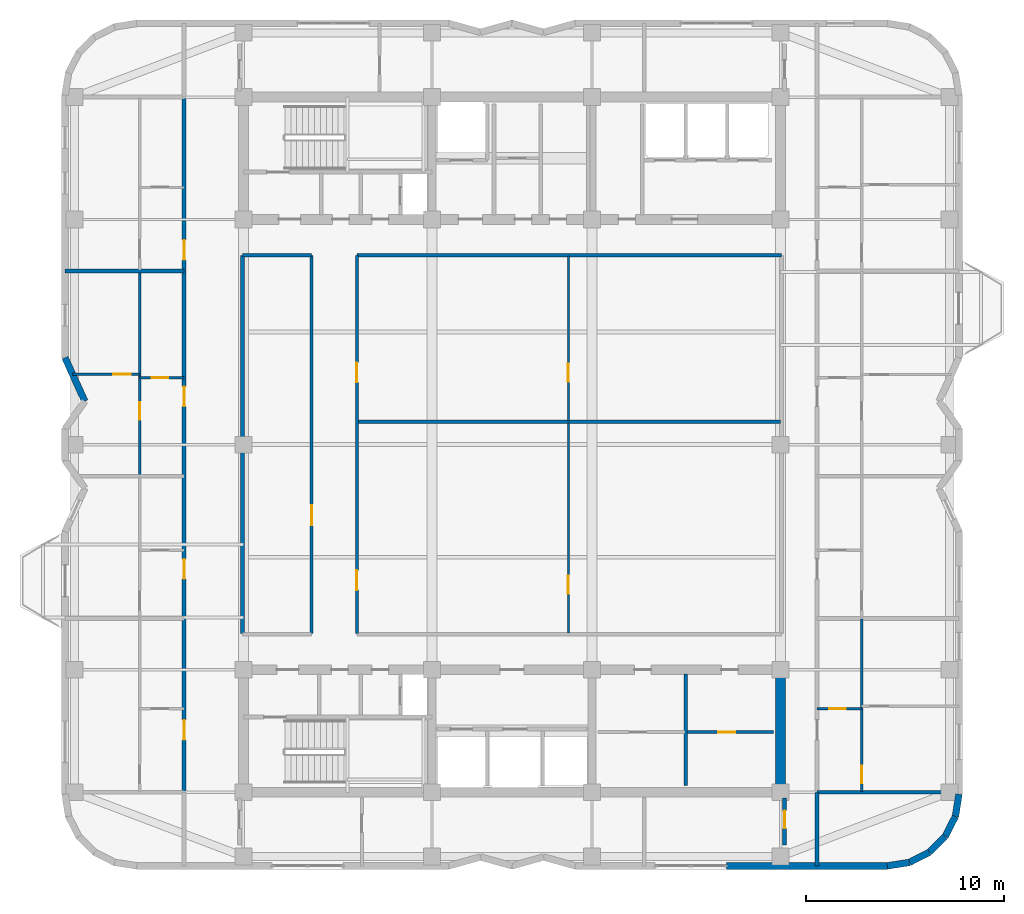
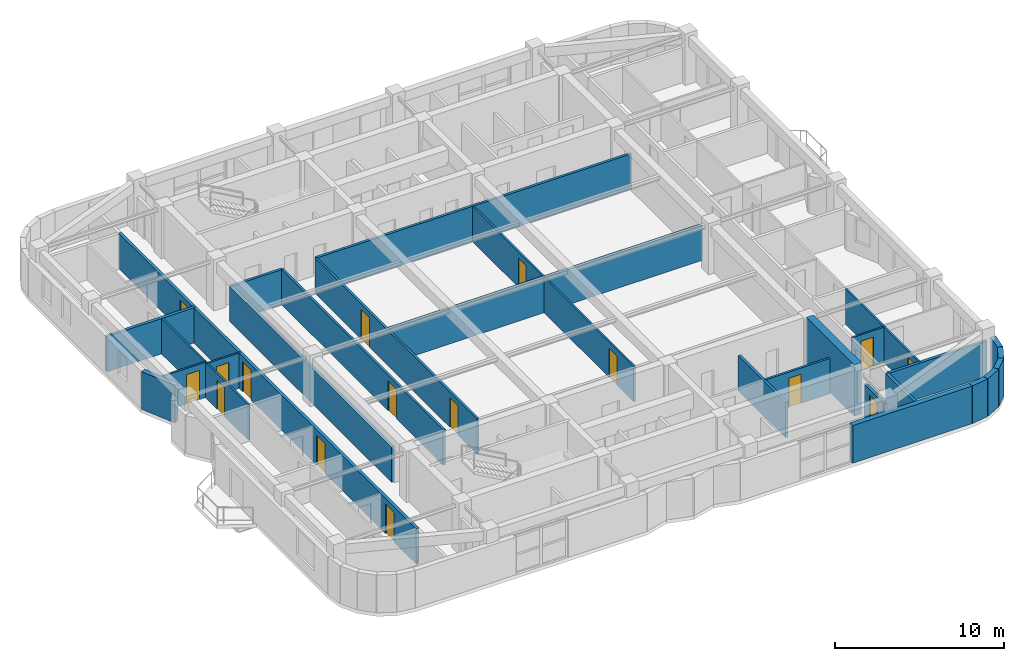
# One storey, part 9 of 14: 28 walls, 16 doors, 16 openings.
"""IFC4 building model written with IfcOpenShell, lengths in metres."""

from ifc_helpers import new_model, si_unit, direction, frame, frame_2d, origin, place, context, subcontext, project, spatial, rectangle, extrude, material, layer, layer_set, type_object, element, fill, save


model = new_model("IFC4")

# Units and contexts
model_context = context("Model", 3, precision=1e-05, world=origin(), true_north=direction((0.0, 1.0)))
body_context = subcontext(model_context, "Body", "Model", "MODEL_VIEW")
ifc_project = project(units=[si_unit("LENGTHUNIT", "METRE"), si_unit("AREAUNIT", "SQUARE_METRE"), si_unit("VOLUMEUNIT", "CUBIC_METRE"), si_unit("PLANEANGLEUNIT", "RADIAN"), si_unit("MASSUNIT", "GRAM", prefix="KILO")], contexts=[model_context])

# Site, building, storey
site_placement = place(None, origin())
site = spatial("IfcSite", under=ifc_project, at=site_placement, CompositionType="ELEMENT")
building_placement = place(site_placement, origin())
building = spatial("IfcBuilding", under=site, at=building_placement, Name="Svetorya Sky Lyceum", CompositionType="ELEMENT")
storey_placement = place(building_placement, frame((0.0, 0.0, 218.39990234375)))
storey = spatial("IfcBuildingStorey", under=building, at=storey_placement, Name="L54", CompositionType="ELEMENT", Elevation=218.39990234375)

# Walls
ifc_material_1 = material(Name="Concrete C50/60", Category="concrete")
ifc_layer_1 = layer(ifc_material_1, 0.5)
ifc_layer_set_1 = layer_set([ifc_layer_1], Name="Concrete C50/60")
wall_type_1 = type_object("IfcWallType", Name="WL-CORE-500", PredefinedType="SHEAR", material=ifc_layer_set_1)
wall_1_placement = place(storey_placement, frame((52.800048828125, 10.85009765625, 0.0), z_axis=(0.0, 0.0, 1.0), x_axis=(0.0, 1.0, 0.0)))
element("IfcWall", 1, at=wall_1_placement, inside=storey, type_object=wall_type_1, Name="L54 SC East Core Shear Wall", PredefinedType="SHEAR", context=body_context, shape_type="SweptSolid", body=[
    extrude(rectangle(XDim=5.699951171875, YDim=0.5, at=frame_2d((2.85009765625, 0.0))), origin(), (0.0, 0.0, 1.0), 3.7001953125),
])
ifc_material_2 = material(Name="Putilovo limestone rainscreen on autoclaved cellular masonry", Category="masonry")
ifc_layer_2 = layer(ifc_material_2, 0.340087890625)
ifc_layer_set_2 = layer_set([ifc_layer_2], Name="Putilovo limestone rainscreen on autoclaved cellular masonry")
wall_type_2 = type_object("IfcWallType", Name="WL-EXT-340", PredefinedType="SOLIDWALL", material=ifc_layer_set_2)
wall_2_placement = place(storey_placement, frame((50.050048828125, 6.8701171875, 0.0), z_axis=(0.0, 0.0, 1.0), x_axis=(1.0, 0.0, 0.0)))
element("IfcWall", 2, at=wall_2_placement, inside=storey, type_object=wall_type_2, Name="L54 Limestone Exterior Wall 11B", PredefinedType="SOLIDWALL", context=body_context, shape_type="SweptSolid", body=[
    extrude(rectangle(XDim=8.14990234375, YDim=0.340087890625, at=frame_2d((4.074951171875, 0.0))), origin(), (0.0, 0.0, 1.0), 2.72021484375),
])
for number, where, z_axis, x_axis, name in (
    (3, (58.199951171875, 6.8701171875, 0.0), (0.0, 0.0, 1.0), (0.987714116584, 0.156271634985, 0.0), "L54 Limestone Exterior Wall 12M"),
    (4, (59.32177734375, 7.047607421875, 0.0), (0.0, 0.0, 1.0), (0.891005044957, 0.453993402883, 0.0), "L54 Limestone Exterior Wall 13M"),
):
    element("IfcWall", number, at=place(storey_placement, frame(where, z_axis=z_axis, x_axis=x_axis)), inside=storey, type_object=wall_type_2, Name=name, PredefinedType="SOLIDWALL", context=body_context, shape_type="SweptSolid", body=[
        extrude(rectangle(XDim=1.1357421875, YDim=0.340087890625, at=frame_2d((0.56787109375, 0.0))), origin(), (0.0, 0.0, 1.0), 2.72021484375),
    ])
wall_3_placement = place(storey_placement, frame((60.333740234375, 7.563232421875, 0.0), z_axis=(0.0, 0.0, 1.0), x_axis=(0.707106781187, 0.707106781187, 0.0)))
element("IfcWall", 5, at=wall_3_placement, inside=storey, type_object=wall_type_2, Name="L54 Limestone Exterior Wall 14M", PredefinedType="SOLIDWALL", context=body_context, shape_type="SweptSolid", body=[
    extrude(rectangle(XDim=1.135498046875, YDim=0.340087890625, at=frame_2d((0.56787109375, 0.0))), origin(), (0.0, 0.0, 1.0), 2.72021484375),
])
wall_4_placement = place(storey_placement, frame((61.13671875, 8.3662109375, 0.0), z_axis=(0.0, 0.0, 1.0), x_axis=(0.45390646422, 0.891049337433, 0.0)))
element("IfcWall", 6, at=wall_4_placement, inside=storey, type_object=wall_type_2, Name="L54 Limestone Exterior Wall 15M", PredefinedType="SOLIDWALL", context=body_context, shape_type="SweptSolid", body=[
    extrude(rectangle(XDim=1.135986328125, YDim=0.340087890625, at=frame_2d((0.56787109375, 0.0))), origin(), (0.0, 0.0, 1.0), 2.72021484375),
])
wall_5_placement = place(storey_placement, frame((61.65234375, 9.37841796875, 0.0), z_axis=(0.0, 0.0, 1.0), x_axis=(0.156514556949, 0.987675651954, 0.0)))
element("IfcWall", 7, at=wall_5_placement, inside=storey, type_object=wall_type_2, Name="L54 Limestone Exterior Wall 16M", PredefinedType="SOLIDWALL", context=body_context, shape_type="SweptSolid", body=[
    extrude(rectangle(XDim=1.135498046875, YDim=0.340087890625, at=frame_2d((0.56787109375, 0.0))), origin(), (0.0, 0.0, 1.0), 2.72021484375),
])
wall_6_placement = place(storey_placement, frame((16.570068359375, 32.60009765625, 0.0), z_axis=(0.0, 0.0, 1.0), x_axis=(0.413772500085, -0.910380315128, 0.0)))
element("IfcWall", 8, at=wall_6_placement, inside=storey, type_object=wall_type_2, Name="L54 Limestone Exterior Wall 41M", PredefinedType="SOLIDWALL", context=body_context, shape_type="SweptSolid", body=[
    extrude(rectangle(XDim=2.416748046875, YDim=0.340087890625, at=frame_2d((1.20849609375, 0.0))), origin(), (0.0, 0.0, 1.0), 2.72021484375),
])

# Wall, opening, door
ifc_material_3 = material(Name="Twin-stud galvanized framing with double fireboard", Category="gypsum")
ifc_layer_3 = layer(ifc_material_3, 0.1201171875)
ifc_layer_set_3 = layer_set([ifc_layer_3], Name="Twin-stud galvanized framing with double fireboard")
wall_type_3 = type_object("IfcWallType", Name="WL-PART-120", PredefinedType="PARTITIONING", material=ifc_layer_set_3)
wall_7_placement = place(storey_placement, frame((42.06005859375, 18.659912109375, 0.0), z_axis=(0.0, 0.0, 1.0), x_axis=(0.0, 1.0, 0.0)))
wall_7 = element("IfcWall", 9, at=wall_7_placement, inside=storey, type_object=wall_type_3, Name="L54 Interior Partition OFF-VEM1", PredefinedType="PARTITIONING", context=body_context, shape_type="SweptSolid", body=[
    extrude(rectangle(XDim=10.6484375, YDim=0.1201171875, at=frame_2d((5.32421875, 0.0))), origin(), (0.0, 0.0, 1.0), 2.550048828125),
])
opening_1_placement = place(wall_7_placement, frame((2.0, 0.0, 0.0)))
opening_1 = element("IfcOpeningElement", 10, at=opening_1_placement, cuts=wall_7, Name="Opening D-RM1", PredefinedType="OPENING", context=body_context, shape_type="SweptSolid", body=[
    extrude(rectangle(XDim=0.89990234375, YDim=2.10009765625, at=frame_2d((0.449951171875, 1.050048828125))), frame((0.0, 0.070068359375, 0.0), z_axis=(0.0, -1.0, 0.0), x_axis=(1.0, 0.0, 0.0)), (0.0, 0.0, 1.0), 0.14013671875),
])
ifc_material_4 = material(Name="Lacquered birch veneer internal door")
door_type_1 = type_object("IfcDoorType", Name="DR-INT-900", OperationType="SINGLE_SWING_LEFT", PredefinedType="DOOR", material=ifc_material_4)
door_1_placement = place(opening_1_placement, origin())
door_1 = element("IfcDoor", 11, at=door_1_placement, inside=storey, type_object=door_type_1, Name="L54 East Study Door", OperationType="SINGLE_SWING_LEFT", OverallHeight=2.10009765625, OverallWidth=0.89990234375, PredefinedType="DOOR", context=body_context, shape_type="SweptSolid", body=[
    extrude(rectangle(XDim=0.89990234375, YDim=2.10009765625, at=frame_2d((0.449951171875, 1.050048828125))), frame((0.0, 0.02490234375, 0.0), z_axis=(0.0, -1.0, 0.0), x_axis=(1.0, 0.0, 0.0)), (0.0, 0.0, 1.0), 0.050048828125),
])
fill(opening_1, door_1)

wall_8_placement = place(storey_placement, frame((42.06005859375, 29.388427734375, 0.0), z_axis=(0.0, 0.0, 1.0), x_axis=(0.0, 1.0, 0.0)))
wall_8 = element("IfcWall", 12, at=wall_8_placement, inside=storey, type_object=wall_type_3, Name="L54 Interior Partition OFF-VEM2", PredefinedType="PARTITIONING", context=body_context, shape_type="SweptSolid", body=[
    extrude(rectangle(XDim=8.3515625, YDim=0.1201171875, at=frame_2d((4.17578125, 0.0))), origin(), (0.0, 0.0, 1.0), 2.550048828125),
])
opening_2_placement = place(wall_8_placement, frame((2.0, 0.0, 0.0)))
opening_2 = element("IfcOpeningElement", 13, at=opening_2_placement, cuts=wall_8, Name="Opening D-RM1", PredefinedType="OPENING", context=body_context, shape_type="SweptSolid", body=[
    extrude(rectangle(XDim=0.89990234375, YDim=2.10009765625, at=frame_2d((0.449951171875, 1.050048828125))), frame((0.0, 0.070068359375, 0.0), z_axis=(0.0, -1.0, 0.0), x_axis=(1.0, 0.0, 0.0)), (0.0, 0.0, 1.0), 0.14013671875),
])
door_2_placement = place(opening_2_placement, origin())
door_2 = element("IfcDoor", 14, at=door_2_placement, inside=storey, type_object=door_type_1, Name="L54 East Focus Door", OperationType="SINGLE_SWING_RIGHT", OverallHeight=2.10009765625, OverallWidth=0.89990234375, PredefinedType="DOOR", context=body_context, shape_type="SweptSolid", body=[
    extrude(rectangle(XDim=0.89990234375, YDim=2.10009765625, at=frame_2d((0.449951171875, 1.050048828125))), frame((0.0, 0.02490234375, 0.0), z_axis=(0.0, -1.0, 0.0), x_axis=(1.0, 0.0, 0.0)), (0.0, 0.0, 1.0), 0.050048828125),
])
fill(opening_2, door_2)

wall_9_placement = place(storey_placement, frame((20.35009765625, 31.590087890625, 0.0), z_axis=(0.0, 0.0, 1.0), x_axis=(1.0, 0.0, 0.0)))
wall_9 = element("IfcWall", 15, at=wall_9_placement, inside=storey, type_object=wall_type_3, Name="L54 Interior Partition W3-WH1", PredefinedType="PARTITIONING", context=body_context, shape_type="SweptSolid", body=[
    extrude(rectangle(XDim=2.25, YDim=0.1201171875, at=frame_2d((1.125, 0.0))), origin(), (0.0, 0.0, 1.0), 2.550048828125),
])
opening_3_placement = place(wall_9_placement, frame((0.60009765625, 0.0, 0.0)))
opening_3 = element("IfcOpeningElement", 16, at=opening_3_placement, cuts=wall_9, Name="Opening D-BT1", PredefinedType="OPENING", context=body_context, shape_type="SweptSolid", body=[
    extrude(rectangle(XDim=0.85009765625, YDim=2.10009765625, at=frame_2d((0.425048828125, 1.050048828125))), frame((0.0, 0.070068359375, 0.0), z_axis=(0.0, -1.0, 0.0), x_axis=(1.0, 0.0, 0.0)), (0.0, 0.0, 1.0), 0.14013671875),
])
ifc_material_5 = material(Name="Moisture-resistant laminate bathroom door")
door_type_2 = type_object("IfcDoorType", Name="DR-WET-850", OperationType="SINGLE_SWING_LEFT", PredefinedType="DOOR", material=ifc_material_5)
door_3_placement = place(opening_3_placement, origin())
door_3 = element("IfcDoor", 17, at=door_3_placement, inside=storey, type_object=door_type_2, Name="Apartment W3 Bathroom Door", OperationType="SINGLE_SWING_LEFT", OverallHeight=2.10009765625, OverallWidth=0.85009765625, PredefinedType="DOOR", context=body_context, shape_type="SweptSolid", body=[
    extrude(rectangle(XDim=0.85009765625, YDim=2.10009765625, at=frame_2d((0.425048828125, 1.050048828125))), frame((0.0, 0.02490234375, 0.0), z_axis=(0.0, -1.0, 0.0), x_axis=(1.0, 0.0, 0.0)), (0.0, 0.0, 1.0), 0.050048828125),
])
fill(opening_3, door_3)

wall_10_placement = place(storey_placement, frame((16.951904296875, 31.760009765625, 0.0), z_axis=(0.0, 0.0, 1.0), x_axis=(1.0, 0.0, 0.0)))
wall_10 = element("IfcWall", 18, at=wall_10_placement, inside=storey, type_object=wall_type_3, Name="L54 Interior Partition W3-WL1", PredefinedType="PARTITIONING", context=body_context, shape_type="SweptSolid", body=[
    extrude(rectangle(XDim=3.398193359375, YDim=0.1201171875, at=frame_2d((1.69921875, 0.0))), origin(), (0.0, 0.0, 1.0), 2.550048828125),
])
opening_4_placement = place(wall_10_placement, frame((2.048095703125, 0.0, 0.0)))
opening_4 = element("IfcOpeningElement", 19, at=opening_4_placement, cuts=wall_10, Name="Opening D-RM1", PredefinedType="OPENING", context=body_context, shape_type="SweptSolid", body=[
    extrude(rectangle(XDim=0.89990234375, YDim=2.10009765625, at=frame_2d((0.449951171875, 1.050048828125))), frame((0.0, 0.070068359375, 0.0), z_axis=(0.0, -1.0, 0.0), x_axis=(1.0, 0.0, 0.0)), (0.0, 0.0, 1.0), 0.14013671875),
])
door_4_placement = place(opening_4_placement, origin())
door_4 = element("IfcDoor", 20, at=door_4_placement, inside=storey, type_object=door_type_1, Name="Apartment W3 Bedroom 1 Door", OperationType="SINGLE_SWING_LEFT", OverallHeight=2.10009765625, OverallWidth=0.89990234375, PredefinedType="DOOR", context=body_context, shape_type="SweptSolid", body=[
    extrude(rectangle(XDim=0.89990234375, YDim=2.10009765625, at=frame_2d((0.449951171875, 1.050048828125))), frame((0.0, 0.02490234375, 0.0), z_axis=(0.0, -1.0, 0.0), x_axis=(1.0, 0.0, 0.0)), (0.0, 0.0, 1.0), 0.050048828125),
])
fill(opening_4, door_4)

wall_11_placement = place(storey_placement, frame((20.35009765625, 26.639892578125, 0.0), z_axis=(0.0, 0.0, 1.0), x_axis=(0.0, 1.0, 0.0)))
wall_11 = element("IfcWall", 21, at=wall_11_placement, inside=storey, type_object=wall_type_3, Name="L54 Interior Partition W3-WV", PredefinedType="PARTITIONING", context=body_context, shape_type="SweptSolid", body=[
    extrude(rectangle(XDim=10.320068359375, YDim=0.1201171875, at=frame_2d((5.16015625, 0.0))), origin(), (0.0, 0.0, 1.0), 2.550048828125),
])
opening_5_placement = place(wall_11_placement, frame((2.81005859375, 0.0, 0.0)))
opening_5 = element("IfcOpeningElement", 22, at=opening_5_placement, cuts=wall_11, Name="Opening D-RM1", PredefinedType="OPENING", context=body_context, shape_type="SweptSolid", body=[
    extrude(rectangle(XDim=0.89990234375, YDim=2.10009765625, at=frame_2d((0.449951171875, 1.050048828125))), frame((0.0, 0.070068359375, 0.0), z_axis=(0.0, -1.0, 0.0), x_axis=(1.0, 0.0, 0.0)), (0.0, 0.0, 1.0), 0.14013671875),
])
door_5_placement = place(opening_5_placement, origin())
door_5 = element("IfcDoor", 23, at=door_5_placement, inside=storey, type_object=door_type_1, Name="Apartment W3 Living Door", OperationType="SINGLE_SWING_RIGHT", OverallHeight=2.10009765625, OverallWidth=0.89990234375, PredefinedType="DOOR", context=body_context, shape_type="SweptSolid", body=[
    extrude(rectangle(XDim=0.89990234375, YDim=2.10009765625, at=frame_2d((0.449951171875, 1.050048828125))), frame((0.0, 0.02490234375, 0.0), z_axis=(0.0, -1.0, 0.0), x_axis=(1.0, 0.0, 0.0)), (0.0, 0.0, 1.0), 0.050048828125),
])
fill(opening_5, door_5)

wall_12_placement = place(storey_placement, frame((54.64990234375, 14.820068359375, 0.0), z_axis=(0.0, 0.0, 1.0), x_axis=(1.0, 0.0, 0.0)))
wall_12 = element("IfcWall", 24, at=wall_12_placement, inside=storey, type_object=wall_type_3, Name="L54 Interior Partition E1-WH1", PredefinedType="PARTITIONING", context=body_context, shape_type="SweptSolid", body=[
    extrude(rectangle(XDim=2.25, YDim=0.1201171875, at=frame_2d((1.125, 0.0))), origin(), (0.0, 0.0, 1.0), 2.550048828125),
])
opening_6_placement = place(wall_12_placement, frame((0.60009765625, 0.0, 0.0)))
opening_6 = element("IfcOpeningElement", 25, at=opening_6_placement, cuts=wall_12, Name="Opening D-BT1", PredefinedType="OPENING", context=body_context, shape_type="SweptSolid", body=[
    extrude(rectangle(XDim=0.85009765625, YDim=2.10009765625, at=frame_2d((0.425048828125, 1.050048828125))), frame((0.0, 0.070068359375, 0.0), z_axis=(0.0, -1.0, 0.0), x_axis=(1.0, 0.0, 0.0)), (0.0, 0.0, 1.0), 0.14013671875),
])
door_6_placement = place(opening_6_placement, origin())
door_6 = element("IfcDoor", 26, at=door_6_placement, inside=storey, type_object=door_type_2, Name="Apartment E1 Bathroom Door", OperationType="SINGLE_SWING_RIGHT", OverallHeight=2.10009765625, OverallWidth=0.85009765625, PredefinedType="DOOR", context=body_context, shape_type="SweptSolid", body=[
    extrude(rectangle(XDim=0.85009765625, YDim=2.10009765625, at=frame_2d((0.425048828125, 1.050048828125))), frame((0.0, 0.02490234375, 0.0), z_axis=(0.0, -1.0, 0.0), x_axis=(1.0, 0.0, 0.0)), (0.0, 0.0, 1.0), 0.050048828125),
])
fill(opening_6, door_6)

wall_13_placement = place(storey_placement, frame((56.89990234375, 10.639892578125, 0.0), z_axis=(0.0, 0.0, 1.0), x_axis=(0.0, 1.0, 0.0)))
wall_13 = element("IfcWall", 27, at=wall_13_placement, inside=storey, type_object=wall_type_3, Name="L54 Interior Partition E1-WV", PredefinedType="PARTITIONING", context=body_context, shape_type="SweptSolid", body=[
    extrude(rectangle(XDim=8.72021484375, YDim=0.1201171875, at=frame_2d((4.360107421875, 0.0))), origin(), (0.0, 0.0, 1.0), 2.550048828125),
])
opening_7_placement = place(wall_13_placement, frame((0.409912109375, 0.0, 0.0)))
opening_7 = element("IfcOpeningElement", 28, at=opening_7_placement, cuts=wall_13, Name="Opening D-RM1", PredefinedType="OPENING", context=body_context, shape_type="SweptSolid", body=[
    extrude(rectangle(XDim=0.89990234375, YDim=2.10009765625, at=frame_2d((0.449951171875, 1.050048828125))), frame((0.0, 0.070068359375, 0.0), z_axis=(0.0, -1.0, 0.0), x_axis=(1.0, 0.0, 0.0)), (0.0, 0.0, 1.0), 0.14013671875),
])
door_7_placement = place(opening_7_placement, origin())
door_7 = element("IfcDoor", 29, at=door_7_placement, inside=storey, type_object=door_type_1, Name="Apartment E1 Living Door", OperationType="SINGLE_SWING_LEFT", OverallHeight=2.10009765625, OverallWidth=0.89990234375, PredefinedType="DOOR", context=body_context, shape_type="SweptSolid", body=[
    extrude(rectangle(XDim=0.89990234375, YDim=2.10009765625, at=frame_2d((0.449951171875, 1.050048828125))), frame((0.0, 0.02490234375, 0.0), z_axis=(0.0, -1.0, 0.0), x_axis=(1.0, 0.0, 0.0)), (0.0, 0.0, 1.0), 0.050048828125),
])
fill(opening_7, door_7)

ifc_material_6 = material(Name="Autoclaved cellular masonry blockwork with acoustic render", Category="masonry")
ifc_layer_4 = layer(ifc_material_6, 0.14990234375)
ifc_layer_set_4 = layer_set([ifc_layer_4], Name="Autoclaved cellular masonry blockwork with acoustic render")
wall_type_4 = type_object("IfcWallType", Name="WL-PART-150", PredefinedType="PARTITIONING", material=ifc_layer_set_4)
wall_14_placement = place(storey_placement, frame((48.050048828125, 13.64990234375, 0.0), z_axis=(0.0, 0.0, 1.0), x_axis=(1.0, 0.0, 0.0)))
wall_14 = element("IfcWall", 30, at=wall_14_placement, inside=storey, type_object=wall_type_4, Name="L54 Interior Partition SC-LV7-HE", PredefinedType="PARTITIONING", context=body_context, shape_type="SweptSolid", body=[
    extrude(rectangle(XDim=4.39990234375, YDim=0.14990234375, at=frame_2d((2.199951171875, 0.0))), origin(), (0.0, 0.0, 1.0), 2.550048828125),
])
opening_8_placement = place(wall_14_placement, frame((1.60009765625, 0.0, 0.0)))
opening_8 = element("IfcOpeningElement", 31, at=opening_8_placement, cuts=wall_14, Name="Opening D-CWC1", PredefinedType="OPENING", context=body_context, shape_type="SweptSolid", body=[
    extrude(rectangle(XDim=0.85009765625, YDim=2.10009765625, at=frame_2d((0.425048828125, 1.050048828125))), frame((0.0, 0.0849609375, 0.0), z_axis=(0.0, -1.0, 0.0), x_axis=(1.0, 0.0, 0.0)), (0.0, 0.0, 1.0), 0.169921875),
])
ifc_material_7 = material(Name="Fire-rated galvanized steel core service closet door", Category="steel")
door_type_3 = type_object("IfcDoorType", Name="DR-CWET-850", OperationType="SINGLE_SWING_LEFT", PredefinedType="DOOR", material=ifc_material_7)
door_8_placement = place(opening_8_placement, origin())
door_8 = element("IfcDoor", 32, at=door_8_placement, inside=storey, type_object=door_type_3, Name="L54 South Server Closet Door", OperationType="SINGLE_SWING_RIGHT", OverallHeight=2.10009765625, OverallWidth=0.85009765625, PredefinedType="DOOR", context=body_context, shape_type="SweptSolid", body=[
    extrude(rectangle(XDim=0.85009765625, YDim=2.10009765625, at=frame_2d((0.425048828125, 1.050048828125))), frame((0.0, 0.02490234375, 0.0), z_axis=(0.0, -1.0, 0.0), x_axis=(1.0, 0.0, 0.0)), (0.0, 0.0, 1.0), 0.050048828125),
])
fill(opening_8, door_8)

wall_15_placement = place(storey_placement, frame((29.050048828125, 18.6298828125, 0.0), z_axis=(0.0, 0.0, 1.0), x_axis=(0.0, 1.0, 0.0)))
wall_15 = element("IfcWall", 33, at=wall_15_placement, inside=storey, type_object=wall_type_4, Name="L54 Interior Partition OFF-VW", PredefinedType="PARTITIONING", context=body_context, shape_type="SweptSolid", body=[
    extrude(rectangle(XDim=19.14013671875, YDim=0.14990234375, at=frame_2d((9.570068359375, 0.0))), origin(), (0.0, 0.0, 1.0), 2.550048828125),
])
opening_9_placement = place(wall_15_placement, frame((5.5, 0.0, 0.0)))
opening_9 = element("IfcOpeningElement", 34, at=opening_9_placement, cuts=wall_15, Name="Opening D-RM2", PredefinedType="OPENING", context=body_context, shape_type="SweptSolid", body=[
    extrude(rectangle(XDim=1.0, YDim=2.14990234375, at=frame_2d((0.5, 1.074951171875))), frame((0.0, 0.0849609375, 0.0), z_axis=(0.0, -1.0, 0.0), x_axis=(1.0, 0.0, 0.0)), (0.0, 0.0, 1.0), 0.169921875),
])
ifc_material_8 = material(Name="Solid-core oak acoustic room door")
door_type_4 = type_object("IfcDoorType", Name="DR-INT-1000", OperationType="SINGLE_SWING_LEFT", PredefinedType="DOOR", material=ifc_material_8)
door_9_placement = place(opening_9_placement, origin())
door_9 = element("IfcDoor", 35, at=door_9_placement, inside=storey, type_object=door_type_4, Name="L54 West Office Door", OperationType="SINGLE_SWING_LEFT", OverallHeight=2.14990234375, OverallWidth=1.0, PredefinedType="DOOR", context=body_context, shape_type="SweptSolid", body=[
    extrude(rectangle(XDim=1.0, YDim=2.14990234375, at=frame_2d((0.5, 1.074951171875))), frame((0.0, 0.02490234375, 0.0), z_axis=(0.0, -1.0, 0.0), x_axis=(1.0, 0.0, 0.0)), (0.0, 0.0, 1.0), 0.050048828125),
])
fill(opening_9, door_9)

# Wall, openings, doors
wall_16_placement = place(storey_placement, frame((31.35009765625, 18.6298828125, 0.0), z_axis=(0.0, 0.0, 1.0), x_axis=(0.0, 1.0, 0.0)))
wall_16 = element("IfcWall", 36, at=wall_16_placement, inside=storey, type_object=wall_type_4, Name="L54 Interior Partition OFF-VE", PredefinedType="PARTITIONING", context=body_context, shape_type="SweptSolid", body=[
    extrude(rectangle(XDim=19.14013671875, YDim=0.14990234375, at=frame_2d((9.570068359375, 0.0))), origin(), (0.0, 0.0, 1.0), 2.550048828125),
])
opening_10_placement = place(wall_16_placement, frame((2.199951171875, 0.0, 0.0)))
opening_10 = element("IfcOpeningElement", 37, at=opening_10_placement, cuts=wall_16, Name="Opening D-RM2", PredefinedType="OPENING", context=body_context, shape_type="SweptSolid", body=[
    extrude(rectangle(XDim=1.0, YDim=2.14990234375, at=frame_2d((0.5, 1.074951171875))), frame((0.0, 0.0849609375, 0.0), z_axis=(0.0, -1.0, 0.0), x_axis=(1.0, 0.0, 0.0)), (0.0, 0.0, 1.0), 0.169921875),
])
opening_11_placement = place(wall_16_placement, frame((12.718505859375, 0.0, 0.0)))
opening_11 = element("IfcOpeningElement", 38, at=opening_11_placement, cuts=wall_16, Name="Opening D-RM2", PredefinedType="OPENING", context=body_context, shape_type="SweptSolid", body=[
    extrude(rectangle(XDim=1.0, YDim=2.14990234375, at=frame_2d((0.5, 1.074951171875))), frame((0.0, 0.0849609375, 0.0), z_axis=(0.0, -1.0, 0.0), x_axis=(1.0, 0.0, 0.0)), (0.0, 0.0, 1.0), 0.169921875),
])
door_10_placement = place(opening_10_placement, origin())
door_10 = element("IfcDoor", 39, at=door_10_placement, inside=storey, type_object=door_type_4, Name="L54 Meeting Door", OperationType="SINGLE_SWING_RIGHT", OverallHeight=2.14990234375, OverallWidth=1.0, PredefinedType="DOOR", context=body_context, shape_type="SweptSolid", body=[
    extrude(rectangle(XDim=1.0, YDim=2.14990234375, at=frame_2d((0.5, 1.074951171875))), frame((0.0, 0.02490234375, 0.0), z_axis=(0.0, -1.0, 0.0), x_axis=(1.0, 0.0, 0.0)), (0.0, 0.0, 1.0), 0.050048828125),
])
fill(opening_10, door_10)
door_11_placement = place(opening_11_placement, origin())
door_11 = element("IfcDoor", 40, at=door_11_placement, inside=storey, type_object=door_type_4, Name="L54 North Room Door", OperationType="SINGLE_SWING_LEFT", OverallHeight=2.14990234375, OverallWidth=1.0, PredefinedType="DOOR", context=body_context, shape_type="SweptSolid", body=[
    extrude(rectangle(XDim=1.0, YDim=2.14990234375, at=frame_2d((0.5, 1.074951171875))), frame((0.0, 0.02490234375, 0.0), z_axis=(0.0, -1.0, 0.0), x_axis=(1.0, 0.0, 0.0)), (0.0, 0.0, 1.0), 0.050048828125),
])
fill(opening_11, door_11)

# Walls
ifc_material_9 = material(Name="Autoclaved cellular masonry blockwork with fire render", Category="masonry")
ifc_layer_5 = layer(ifc_material_9, 0.175048828125)
ifc_layer_set_5 = layer_set([ifc_layer_5], Name="Autoclaved cellular masonry blockwork with fire render")
wall_type_5 = type_object("IfcWallType", Name="WL-PART-175", PredefinedType="PARTITIONING", material=ifc_layer_set_5)
wall_17_placement = place(storey_placement, frame((48.0, 10.949951171875, 0.0), z_axis=(0.0, 0.0, 1.0), x_axis=(0.0, 1.0, 0.0)))
element("IfcWall", 41, at=wall_17_placement, inside=storey, type_object=wall_type_5, Name="L54 Interior Partition SC-LV7-V", PredefinedType="PARTITIONING", context=body_context, shape_type="SweptSolid", body=[
    extrude(rectangle(XDim=5.630126953125, YDim=0.175048828125, at=frame_2d((2.81494140625, 0.0))), origin(), (0.0, 0.0, 1.0), 2.550048828125),
])
wall_18_placement = place(storey_placement, frame((25.550048828125, 37.800048828125, 0.0), z_axis=(0.0, 0.0, 1.0), x_axis=(1.0, 0.0, 0.0)))
element("IfcWall", 42, at=wall_18_placement, inside=storey, type_object=wall_type_5, Name="L54 Interior Partition OFF-CN-W", PredefinedType="PARTITIONING", context=body_context, shape_type="SweptSolid", body=[
    extrude(rectangle(XDim=3.5, YDim=0.175048828125, at=frame_2d((1.75, 0.0))), origin(), (0.0, 0.0, 1.0), 2.550048828125),
])
wall_19_placement = place(storey_placement, frame((31.35009765625, 37.800048828125, 0.0), z_axis=(0.0, 0.0, 1.0), x_axis=(1.0, 0.0, 0.0)))
element("IfcWall", 43, at=wall_19_placement, inside=storey, type_object=wall_type_5, Name="L54 Interior Partition OFF-CN-E", PredefinedType="PARTITIONING", context=body_context, shape_type="SweptSolid", body=[
    extrude(rectangle(XDim=21.5, YDim=0.175048828125, at=frame_2d((10.75, 0.0))), origin(), (0.0, 0.0, 1.0), 2.550048828125),
])
wall_20_placement = place(storey_placement, frame((31.3798828125, 29.348388671875, 0.0), z_axis=(0.0, 0.0, 1.0), x_axis=(1.0, 0.0, 0.0)))
element("IfcWall", 44, at=wall_20_placement, inside=storey, type_object=wall_type_5, Name="L54 Interior Partition OFF-HE", PredefinedType="PARTITIONING", context=body_context, shape_type="SweptSolid", body=[
    extrude(rectangle(XDim=21.420166015625, YDim=0.175048828125, at=frame_2d((10.7099609375, 0.0))), origin(), (0.0, 0.0, 1.0), 2.550048828125),
])
ifc_material_10 = material(Name="Autoclaved cellular masonry blockwork with gypsum plaster", Category="masonry")
ifc_layer_6 = layer(ifc_material_10, 0.199951171875)
ifc_layer_set_6 = layer_set([ifc_layer_6], Name="Autoclaved cellular masonry blockwork with gypsum plaster")
wall_type_6 = type_object("IfcWallType", Name="WL-PART-200", PredefinedType="PARTITIONING", material=ifc_layer_set_6)
wall_21_placement = place(storey_placement, frame((25.550048828125, 18.6298828125, 0.0), z_axis=(0.0, 0.0, 1.0), x_axis=(0.0, 1.0, 0.0)))
element("IfcWall", 45, at=wall_21_placement, inside=storey, type_object=wall_type_6, Name="L54 Interior Partition W-CEN-SEP", PredefinedType="PARTITIONING", context=body_context, shape_type="SweptSolid", body=[
    extrude(rectangle(XDim=19.14013671875, YDim=0.199951171875, at=frame_2d((9.570068359375, 0.0))), origin(), (0.0, 0.0, 1.0), 2.550048828125),
])
wall_22_placement = place(storey_placement, frame((16.570068359375, 37.0, 0.0), z_axis=(0.0, 0.0, 1.0), x_axis=(1.0, 0.0, 0.0)))
element("IfcWall", 46, at=wall_22_placement, inside=storey, type_object=wall_type_6, Name="L54 Interior Partition W-PARTY-3", PredefinedType="PARTITIONING", context=body_context, shape_type="SweptSolid", body=[
    extrude(rectangle(XDim=6.030029296875, YDim=0.199951171875, at=frame_2d((3.01513671875, 0.0))), origin(), (0.0, 0.0, 1.0), 2.550048828125),
])

# Wall, openings, doors
wall_23_placement = place(storey_placement, frame((22.60009765625, 10.60009765625, 0.0), z_axis=(0.0, 0.0, 1.0), x_axis=(0.0, 1.0, 0.0)))
wall_23 = element("IfcWall", 47, at=wall_23_placement, inside=storey, type_object=wall_type_6, Name="L54 Interior Partition W-CORRW", PredefinedType="PARTITIONING", context=body_context, shape_type="SweptSolid", body=[
    extrude(rectangle(XDim=35.199951171875, YDim=0.199951171875, at=frame_2d((17.60009765625, 0.0))), origin(), (0.0, 0.0, 1.0), 2.550048828125),
])
opening_12_placement = place(wall_23_placement, frame((2.64990234375, 0.0, 0.0)))
opening_12 = element("IfcOpeningElement", 48, at=opening_12_placement, cuts=wall_23, Name="Opening D-APT1", PredefinedType="OPENING", context=body_context, shape_type="SweptSolid", body=[
    extrude(rectangle(XDim=1.0, YDim=2.14990234375, at=frame_2d((0.5, 1.074951171875))), frame((0.0, 0.10986328125, 0.0), z_axis=(0.0, -1.0, 0.0), x_axis=(1.0, 0.0, 0.0)), (0.0, 0.0, 1.0), 0.219970703125),
])
opening_13_placement = place(wall_23_placement, frame((10.81005859375, 0.0, 0.0)))
opening_13 = element("IfcOpeningElement", 49, at=opening_13_placement, cuts=wall_23, Name="Opening D-APT1", PredefinedType="OPENING", context=body_context, shape_type="SweptSolid", body=[
    extrude(rectangle(XDim=1.0, YDim=2.14990234375, at=frame_2d((0.5, 1.074951171875))), frame((0.0, 0.10986328125, 0.0), z_axis=(0.0, -1.0, 0.0), x_axis=(1.0, 0.0, 0.0)), (0.0, 0.0, 1.0), 0.219970703125),
])
opening_14_placement = place(wall_23_placement, frame((19.5400390625, 0.0, 0.0)))
opening_14 = element("IfcOpeningElement", 50, at=opening_14_placement, cuts=wall_23, Name="Opening D-APT1", PredefinedType="OPENING", context=body_context, shape_type="SweptSolid", body=[
    extrude(rectangle(XDim=1.0, YDim=2.14990234375, at=frame_2d((0.5, 1.074951171875))), frame((0.0, 0.10986328125, 0.0), z_axis=(0.0, -1.0, 0.0), x_axis=(1.0, 0.0, 0.0)), (0.0, 0.0, 1.0), 0.219970703125),
])
opening_15_placement = place(wall_23_placement, frame((26.949951171875, 0.0, 0.0)))
opening_15 = element("IfcOpeningElement", 51, at=opening_15_placement, cuts=wall_23, Name="Opening D-APT1", PredefinedType="OPENING", context=body_context, shape_type="SweptSolid", body=[
    extrude(rectangle(XDim=1.0, YDim=2.14990234375, at=frame_2d((0.5, 1.074951171875))), frame((0.0, 0.10986328125, 0.0), z_axis=(0.0, -1.0, 0.0), x_axis=(1.0, 0.0, 0.0)), (0.0, 0.0, 1.0), 0.219970703125),
])
ifc_material_11 = material(Name="Insulated oak-veneered apartment entrance door")
door_type_5 = type_object("IfcDoorType", Name="DR-APT-1000", OperationType="SINGLE_SWING_LEFT", PredefinedType="DOOR", material=ifc_material_11)
door_12_placement = place(opening_12_placement, origin())
door_12 = element("IfcDoor", 52, at=door_12_placement, inside=storey, type_object=door_type_5, Name="L54 Apartment W1 Entrance Door", OperationType="SINGLE_SWING_LEFT", OverallHeight=2.14990234375, OverallWidth=1.0, PredefinedType="DOOR", context=body_context, shape_type="SweptSolid", body=[
    extrude(rectangle(XDim=1.0, YDim=2.14990234375, at=frame_2d((0.5, 1.074951171875))), frame((0.0, 0.02490234375, 0.0), z_axis=(0.0, -1.0, 0.0), x_axis=(1.0, 0.0, 0.0)), (0.0, 0.0, 1.0), 0.050048828125),
])
fill(opening_12, door_12)
door_13_placement = place(opening_13_placement, origin())
door_13 = element("IfcDoor", 53, at=door_13_placement, inside=storey, type_object=door_type_5, Name="L54 Apartment W2 Entrance Door", OperationType="SINGLE_SWING_RIGHT", OverallHeight=2.14990234375, OverallWidth=1.0, PredefinedType="DOOR", context=body_context, shape_type="SweptSolid", body=[
    extrude(rectangle(XDim=1.0, YDim=2.14990234375, at=frame_2d((0.5, 1.074951171875))), frame((0.0, 0.02490234375, 0.0), z_axis=(0.0, -1.0, 0.0), x_axis=(1.0, 0.0, 0.0)), (0.0, 0.0, 1.0), 0.050048828125),
])
fill(opening_13, door_13)
door_14_placement = place(opening_14_placement, origin())
door_14 = element("IfcDoor", 54, at=door_14_placement, inside=storey, type_object=door_type_5, Name="L54 Apartment W3 Entrance Door", OperationType="SINGLE_SWING_LEFT", OverallHeight=2.14990234375, OverallWidth=1.0, PredefinedType="DOOR", context=body_context, shape_type="SweptSolid", body=[
    extrude(rectangle(XDim=1.0, YDim=2.14990234375, at=frame_2d((0.5, 1.074951171875))), frame((0.0, 0.02490234375, 0.0), z_axis=(0.0, -1.0, 0.0), x_axis=(1.0, 0.0, 0.0)), (0.0, 0.0, 1.0), 0.050048828125),
])
fill(opening_14, door_14)
door_15_placement = place(opening_15_placement, origin())
door_15 = element("IfcDoor", 55, at=door_15_placement, inside=storey, type_object=door_type_5, Name="L54 Apartment W4 Entrance Door", OperationType="SINGLE_SWING_RIGHT", OverallHeight=2.14990234375, OverallWidth=1.0, PredefinedType="DOOR", context=body_context, shape_type="SweptSolid", body=[
    extrude(rectangle(XDim=1.0, YDim=2.14990234375, at=frame_2d((0.5, 1.074951171875))), frame((0.0, 0.02490234375, 0.0), z_axis=(0.0, -1.0, 0.0), x_axis=(1.0, 0.0, 0.0)), (0.0, 0.0, 1.0), 0.050048828125),
])
fill(opening_15, door_15)

# Walls
wall_24_placement = place(storey_placement, frame((54.64990234375, 10.60009765625, 0.0), z_axis=(0.0, 0.0, 1.0), x_axis=(1.0, 0.0, 0.0)))
element("IfcWall", 56, at=wall_24_placement, inside=storey, type_object=wall_type_6, Name="L54 Interior Partition E-CAP-S", PredefinedType="PARTITIONING", context=body_context, shape_type="SweptSolid", body=[
    extrude(rectangle(XDim=6.760009765625, YDim=0.199951171875, at=frame_2d((3.3798828125, 0.0))), origin(), (0.0, 0.0, 1.0), 2.550048828125),
])
wall_25_placement = place(storey_placement, frame((54.64990234375, 6.8701171875, 0.0), z_axis=(0.0, 0.0, 1.0), x_axis=(0.0, 1.0, 0.0)))
element("IfcWall", 57, at=wall_25_placement, inside=storey, type_object=wall_type_6, Name="L54 Interior Partition EC-SE-END", PredefinedType="PARTITIONING", context=body_context, shape_type="SweptSolid", body=[
    extrude(rectangle(XDim=3.72998046875, YDim=0.199951171875, at=frame_2d((1.864990234375, 0.0))), origin(), (0.0, 0.0, 1.0), 2.550048828125),
])

# Wall, opening, door
wall_26_placement = place(storey_placement, frame((53.0, 7.919921875, 0.0), z_axis=(0.0, 0.0, 1.0), x_axis=(0.0, 1.0, 0.0)))
wall_26 = element("IfcWall", 58, at=wall_26_placement, inside=storey, type_object=wall_type_6, Name="L54 Interior Partition S-EE", PredefinedType="PARTITIONING", context=body_context, shape_type="SweptSolid", body=[
    extrude(rectangle(XDim=2.380126953125, YDim=0.199951171875, at=frame_2d((1.18994140625, 0.0))), origin(), (0.0, 0.0, 1.0), 2.550048828125),
])
opening_16_placement = place(wall_26_placement, frame((0.85009765625, 0.0, 0.0)))
opening_16 = element("IfcOpeningElement", 59, at=opening_16_placement, cuts=wall_26, Name="Opening D-RM1", PredefinedType="OPENING", context=body_context, shape_type="SweptSolid", body=[
    extrude(rectangle(XDim=0.89990234375, YDim=2.10009765625, at=frame_2d((0.449951171875, 1.050048828125))), frame((0.0, 0.10986328125, 0.0), z_axis=(0.0, -1.0, 0.0), x_axis=(1.0, 0.0, 0.0)), (0.0, 0.0, 1.0), 0.219970703125),
])
door_16_placement = place(opening_16_placement, origin())
door_16 = element("IfcDoor", 60, at=door_16_placement, inside=storey, type_object=door_type_1, Name="L54 South Focus Door", OperationType="SINGLE_SWING_RIGHT", OverallHeight=2.10009765625, OverallWidth=0.89990234375, PredefinedType="DOOR", context=body_context, shape_type="SweptSolid", body=[
    extrude(rectangle(XDim=0.89990234375, YDim=2.10009765625, at=frame_2d((0.449951171875, 1.050048828125))), frame((0.0, 0.02490234375, 0.0), z_axis=(0.0, -1.0, 0.0), x_axis=(1.0, 0.0, 0.0)), (0.0, 0.0, 1.0), 0.050048828125),
])
fill(opening_16, door_16)

save(model, "model.ifc")
